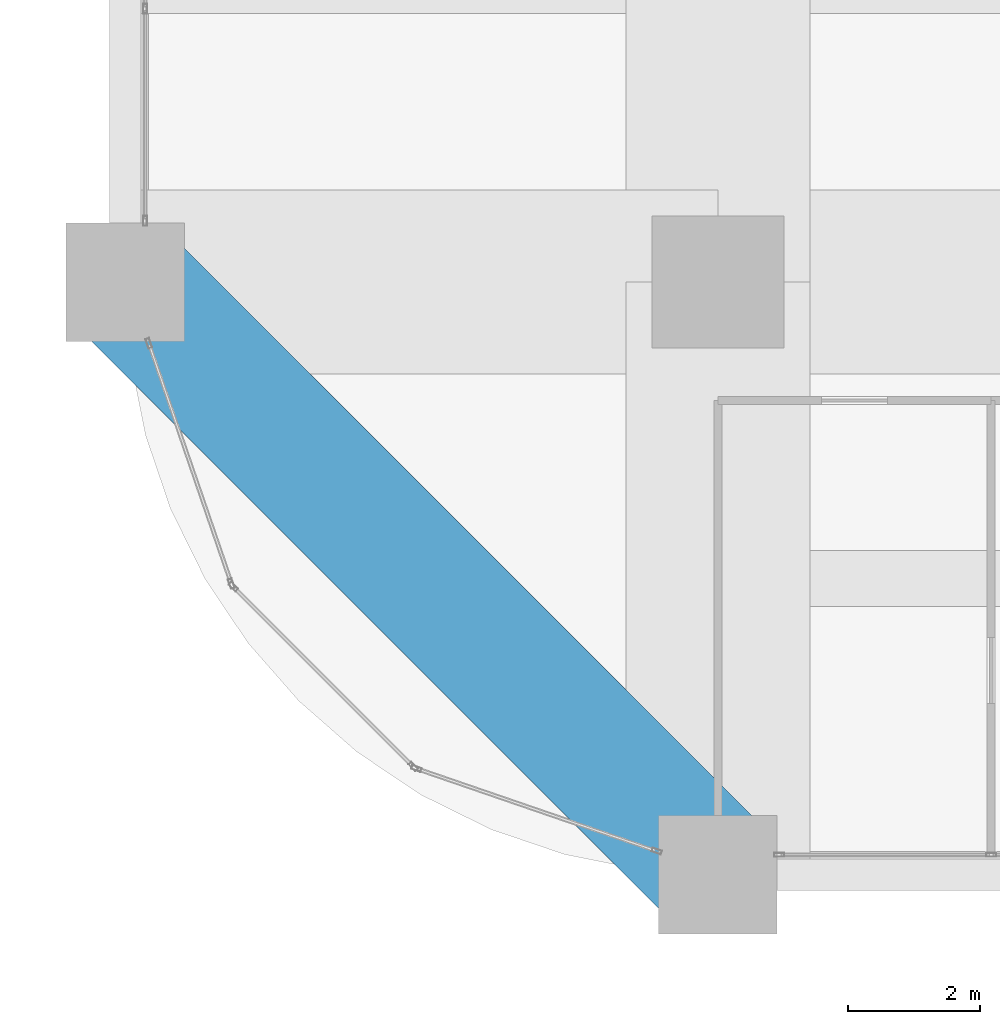
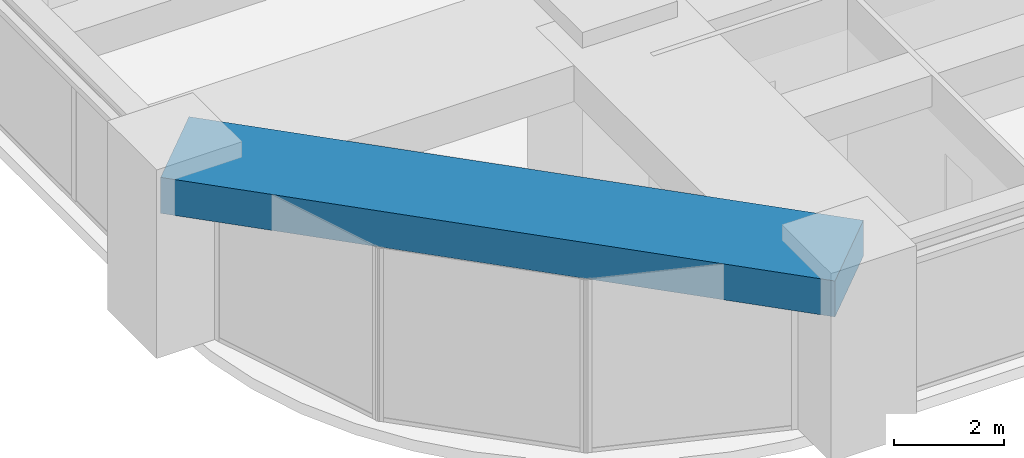
# One storey, part 3 of 45: 1 beam.
"""IFC4 building model written with IfcOpenShell, lengths in metres."""

from ifc_helpers import new_model, si_unit, direction, frame, origin, origin_2d, place, context, subcontext, project, spatial, rectangle, extrude, material, material_profile, profile_set, type_object, element, save


model = new_model("IFC4")

# Units and contexts
model_context = context("Model", 3, precision=1e-05, world=origin(), true_north=direction((0.0, 1.0)))
body_context = subcontext(model_context, "Body", "Model", "MODEL_VIEW")
ifc_project = project(units=[si_unit("LENGTHUNIT", "METRE"), si_unit("AREAUNIT", "SQUARE_METRE"), si_unit("VOLUMEUNIT", "CUBIC_METRE"), si_unit("PLANEANGLEUNIT", "RADIAN"), si_unit("MASSUNIT", "GRAM", prefix="KILO")], contexts=[model_context])

# Site, building, storey
site_placement = place(None, origin())
site = spatial("IfcSite", under=ifc_project, at=site_placement, CompositionType="ELEMENT")
building_placement = place(site_placement, origin())
building = spatial("IfcBuilding", under=site, at=building_placement, Name="Zorevar Civic Tower", CompositionType="ELEMENT")
storey_placement = place(building_placement, frame((0.0, 0.0, 153.0)))
storey = spatial("IfcBuildingStorey", under=building, at=storey_placement, Name="L37", CompositionType="ELEMENT", Elevation=153.0)

# Beam
ifc_material = material(Name="Concrete C50/60", Category="concrete")
ifc_material_profile = material_profile(ifc_material, rectangle(XDim=2.0, YDim=0.800048828125, at=origin_2d()), Name="RC 2000x800")
ifc_profile_set = profile_set([ifc_material_profile], Name="Concrete C50/60")
beam_type = type_object("IfcBeamType", Name="Edge beam RC 2000x800", PredefinedType="SPANDREL", material=ifc_profile_set)
beam_placement = place(storey_placement, frame((0.0, 9.0, 3.449951171875), z_axis=(0.707106781187, -0.707106781187, 0.0), x_axis=(0.707106781187, 0.707106781187, 0.0)))
element("IfcBeam", 1, at=beam_placement, inside=storey, type_object=beam_type, Name="Corner edge beam L38", PredefinedType="SPANDREL", context=body_context, shape_type="SweptSolid", body=[
    extrude(rectangle(XDim=2.0, YDim=0.800048828125, at=origin_2d()), origin(), (0.0, 0.0, 1.0), 12.72802734375),
])

save(model, "model.ifc")
